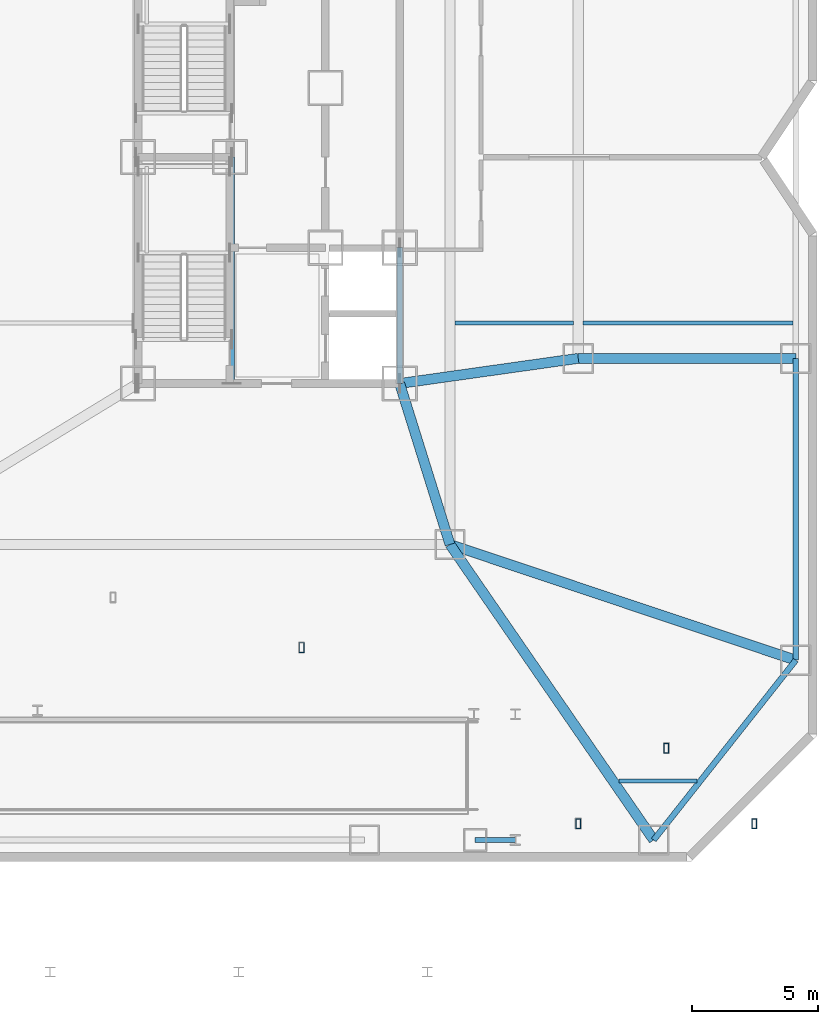
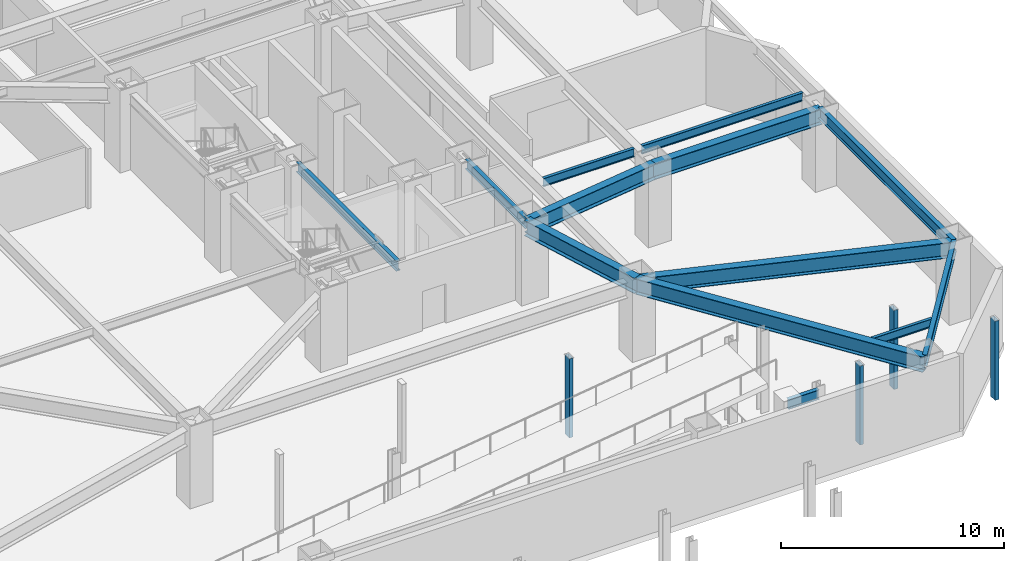
# One storey, part 4 of 14: 13 beams, 4 members.
"""IFC4 building model written with IfcOpenShell, lengths in metres."""

from ifc_helpers import new_model, si_unit, direction, frame, origin, origin_2d, place, context, subcontext, project, spatial, hollow_rectangle, i_section, extrude, material, material_profile, profile_set, type_object, element, save


model = new_model("IFC4")

# Units and contexts
model_context = context("Model", 3, precision=1e-05, world=origin(), true_north=direction((0.0, 1.0)))
body_context = subcontext(model_context, "Body", "Model", "MODEL_VIEW")
ifc_project = project(units=[si_unit("LENGTHUNIT", "METRE"), si_unit("AREAUNIT", "SQUARE_METRE"), si_unit("VOLUMEUNIT", "CUBIC_METRE"), si_unit("PLANEANGLEUNIT", "RADIAN"), si_unit("MASSUNIT", "GRAM", prefix="KILO")], contexts=[model_context])

# Site, building, storey
site_placement = place(None, origin())
site = spatial("IfcSite", under=ifc_project, at=site_placement, CompositionType="ELEMENT")
building_placement = place(site_placement, origin())
building = spatial("IfcBuilding", under=site, at=building_placement, Name="Khamvora Tower", CompositionType="ELEMENT")
storey_placement = place(building_placement, frame((0.0, 0.0, -4.5)))
storey = spatial("IfcBuildingStorey", under=building, at=storey_placement, Name="B1", CompositionType="ELEMENT", Elevation=-4.5)

# Beams
ifc_material = material(Name="Steel S355", Category="steel")
ifc_material_profile_1 = material_profile(ifc_material, i_section(OverallWidth=0.154052734375, OverallDepth=0.458984375, WebThickness=0.009033203125, FlangeThickness=0.014892578125, FilletRadius=0.011962890625, at=origin_2d()), Name="W460x68")
ifc_profile_set_1 = profile_set([ifc_material_profile_1], Name="Steel S355")
beam_type_1 = type_object("IfcBeamType", Name="BM-JS-W460x68", PredefinedType="JOIST", material=ifc_profile_set_1)
beam_1_placement = place(storey_placement, frame((48.117919921875, 3.199951171875, 3.909912109375), z_axis=(1.0, 0.0, 0.0), x_axis=(0.0, 1.0, 0.0)))
element("IfcBeam", 1, at=beam_1_placement, inside=storey, type_object=beam_type_1, Name="B1 secondary floor joist 01", PredefinedType="JOIST", context=body_context, shape_type="SweptSolid", body=[
    extrude(i_section(OverallWidth=0.154052734375, OverallDepth=0.458984375, WebThickness=0.009033203125, FlangeThickness=0.014892578125, FilletRadius=0.011962890625, at=origin_2d()), origin(), (0.0, 0.0, 1.0), 3.09716796875),
])
beam_2_placement = place(storey_placement, frame((41.594970703125, 21.39990234375, 3.909912109375), z_axis=(1.0, 0.0, 0.0), x_axis=(0.0, 1.0, 0.0)))
element("IfcBeam", 2, at=beam_2_placement, inside=storey, type_object=beam_type_1, Name="B1 secondary floor joist 04", PredefinedType="JOIST", context=body_context, shape_type="SweptSolid", body=[
    extrude(i_section(OverallWidth=0.154052734375, OverallDepth=0.458984375, WebThickness=0.009033203125, FlangeThickness=0.014892578125, FilletRadius=0.011962890625, at=origin_2d()), origin(), (0.0, 0.0, 1.0), 4.7099609375),
])
beam_3_placement = place(storey_placement, frame((46.695068359375, 21.39990234375, 3.909912109375), z_axis=(1.0, 0.0, 0.0), x_axis=(0.0, 1.0, 0.0)))
element("IfcBeam", 3, at=beam_3_placement, inside=storey, type_object=beam_type_1, Name="B1 secondary floor joist 05", PredefinedType="JOIST", context=body_context, shape_type="SweptSolid", body=[
    extrude(i_section(OverallWidth=0.154052734375, OverallDepth=0.458984375, WebThickness=0.009033203125, FlangeThickness=0.014892578125, FilletRadius=0.011962890625, at=origin_2d()), origin(), (0.0, 0.0, 1.0), 8.344970703125),
])
ifc_material_profile_2 = material_profile(ifc_material, i_section(OverallWidth=0.39990234375, OverallDepth=0.85498046875, WebThickness=0.01806640625, FlangeThickness=0.029052734375, FilletRadius=0.01806640625, at=origin_2d()), Name="W840x299")
ifc_profile_set_2 = profile_set([ifc_material_profile_2], Name="Steel S355")
beam_type_2 = type_object("IfcBeamType", Name="BM-PG-W840x299", PredefinedType="BEAM", material=ifc_profile_set_2)
beam_4_placement = place(storey_placement, frame((41.39990234375, 12.60009765625, 3.712890625), z_axis=(0.567573841069, -0.823322497527, 0.0), x_axis=(0.823322497527, 0.567573841069, 0.0)))
element("IfcBeam", 4, at=beam_4_placement, inside=storey, type_object=beam_type_2, Name="B1 primary floor girder P04", PredefinedType="BEAM", context=body_context, shape_type="SweptSolid", body=[
    extrude(i_section(OverallWidth=0.39990234375, OverallDepth=0.85498046875, WebThickness=0.01806640625, FlangeThickness=0.029052734375, FilletRadius=0.01806640625, at=origin_2d()), origin(), (0.0, 0.0, 1.0), 14.271484375),
])
beam_5_placement = place(storey_placement, frame((41.39990234375, 12.60009765625, 3.712890625), z_axis=(0.948335857324, -0.31726818579, 0.0), x_axis=(0.31726818579, 0.948335857324, 0.0)))
element("IfcBeam", 5, at=beam_5_placement, inside=storey, type_object=beam_type_2, Name="B1 primary floor girder P13", PredefinedType="BEAM", context=body_context, shape_type="SweptSolid", body=[
    extrude(i_section(OverallWidth=0.39990234375, OverallDepth=0.85498046875, WebThickness=0.01806640625, FlangeThickness=0.029052734375, FilletRadius=0.01806640625, at=origin_2d()), origin(), (0.0, 0.0, 1.0), 14.4990234375),
])
beam_6_placement = place(storey_placement, frame((46.5, 20.0, 3.712890625), z_axis=(1.0, 0.0, 0.0), x_axis=(0.0, 1.0, 0.0)))
element("IfcBeam", 6, at=beam_6_placement, inside=storey, type_object=beam_type_2, Name="B1 primary floor girder P14", PredefinedType="BEAM", context=body_context, shape_type="SweptSolid", body=[
    extrude(i_section(OverallWidth=0.39990234375, OverallDepth=0.85498046875, WebThickness=0.01806640625, FlangeThickness=0.029052734375, FilletRadius=0.01806640625, at=origin_2d()), origin(), (0.0, 0.0, 1.0), 8.64990234375),
])
beam_7_placement = place(storey_placement, frame((39.39990234375, 19.0, 3.712890625), z_axis=(0.298279139585, -0.95447868226, 0.0), x_axis=(0.95447868226, 0.298279139585, 0.0)))
element("IfcBeam", 7, at=beam_7_placement, inside=storey, type_object=beam_type_2, Name="B1 primary floor girder P18", PredefinedType="BEAM", context=body_context, shape_type="SweptSolid", body=[
    extrude(i_section(OverallWidth=0.39990234375, OverallDepth=0.85498046875, WebThickness=0.01806640625, FlangeThickness=0.029052734375, FilletRadius=0.01806640625, at=origin_2d()), origin(), (0.0, 0.0, 1.0), 6.705078125),
])
beam_8_placement = place(storey_placement, frame((39.39990234375, 19.0, 3.712890625), z_axis=(0.990226770029, 0.139466640879, 0.0), x_axis=(-0.139466640879, 0.990226770029, 0.0)))
element("IfcBeam", 8, at=beam_8_placement, inside=storey, type_object=beam_type_2, Name="B1 primary floor girder P23", PredefinedType="BEAM", context=body_context, shape_type="SweptSolid", body=[
    extrude(i_section(OverallWidth=0.39990234375, OverallDepth=0.85498046875, WebThickness=0.01806640625, FlangeThickness=0.029052734375, FilletRadius=0.01806640625, at=origin_2d()), origin(), (0.0, 0.0, 1.0), 7.170166015625),
])
ifc_material_profile_3 = material_profile(ifc_material, i_section(OverallWidth=0.208984375, OverallDepth=0.532958984375, WebThickness=0.010009765625, FlangeThickness=0.01611328125, FilletRadius=0.013916015625, at=origin_2d()), Name="W530x92")
ifc_profile_set_3 = profile_set([ifc_material_profile_3], Name="Steel S355")
beam_type_3 = type_object("IfcBeamType", Name="BM-SP-W530x92", PredefinedType="SPANDREL", material=ifc_profile_set_3)
beam_9_placement = place(storey_placement, frame((42.39990234375, 0.85009765625, 3.9541015625), z_axis=(1.0, 0.0, 0.0), x_axis=(0.0, 1.0, 0.0)))
element("IfcBeam", 9, at=beam_9_placement, inside=storey, type_object=beam_type_3, Name="B1 vehicle ramp south apron beam", PredefinedType="SPANDREL", context=body_context, shape_type="SweptSolid", body=[
    extrude(i_section(OverallWidth=0.208984375, OverallDepth=0.532958984375, WebThickness=0.010009765625, FlangeThickness=0.01611328125, FilletRadius=0.013916015625, at=origin_2d()), origin(), (0.0, 0.0, 1.0), 1.60009765625),
])
beam_10_placement = place(storey_placement, frame((32.72998046875, 19.0, 3.873046875), z_axis=(0.0, 1.0, 0.0), x_axis=(-1.0, 0.0, 0.0)))
element("IfcBeam", 10, at=beam_10_placement, inside=storey, type_object=beam_type_3, Name="B1 core spine girder M1S", PredefinedType="SPANDREL", context=body_context, shape_type="SweptSolid", body=[
    extrude(i_section(OverallWidth=0.208984375, OverallDepth=0.532958984375, WebThickness=0.010009765625, FlangeThickness=0.01611328125, FilletRadius=0.013916015625, at=origin_2d()), origin(), (0.0, 0.0, 1.0), 9.0),
])
beam_11_placement = place(storey_placement, frame((39.39990234375, 19.0, 3.873046875), z_axis=(0.0, 1.0, 0.0), x_axis=(-1.0, 0.0, 0.0)))
element("IfcBeam", 11, at=beam_11_placement, inside=storey, type_object=beam_type_3, Name="B1 core spine girder ES", PredefinedType="SPANDREL", context=body_context, shape_type="SweptSolid", body=[
    extrude(i_section(OverallWidth=0.208984375, OverallDepth=0.532958984375, WebThickness=0.010009765625, FlangeThickness=0.01611328125, FilletRadius=0.013916015625, at=origin_2d()), origin(), (0.0, 0.0, 1.0), 5.39990234375),
])
ifc_material_profile_4 = material_profile(ifc_material, i_section(OverallWidth=0.22998046875, OverallDepth=0.616943359375, WebThickness=0.012939453125, FlangeThickness=0.02197265625, FilletRadius=0.013916015625, at=origin_2d()), Name="W610x140")
ifc_profile_set_4 = profile_set([ifc_material_profile_4], Name="Steel S355")
beam_type_4 = type_object("IfcBeamType", Name="BM-SP-W610x140", PredefinedType="SPANDREL", material=ifc_profile_set_4)
beam_12_placement = place(storey_placement, frame((49.5, 0.85009765625, 3.83203125), z_axis=(0.619998635429, 0.784602888133, 0.0), x_axis=(-0.784602888133, 0.619998635429, 0.0)))
element("IfcBeam", 12, at=beam_12_placement, inside=storey, type_object=beam_type_4, Name="B1 perimeter spandrel beam P04-P13", PredefinedType="SPANDREL", context=body_context, shape_type="SweptSolid", body=[
    extrude(i_section(OverallWidth=0.22998046875, OverallDepth=0.616943359375, WebThickness=0.012939453125, FlangeThickness=0.02197265625, FilletRadius=0.013916015625, at=origin_2d()), origin(), (0.0, 0.0, 1.0), 9.11279296875),
])
beam_13_placement = place(storey_placement, frame((55.14990234375, 8.0, 3.83203125), z_axis=(0.0, 1.0, 0.0), x_axis=(-1.0, 0.0, 0.0)))
element("IfcBeam", 13, at=beam_13_placement, inside=storey, type_object=beam_type_4, Name="B1 perimeter spandrel beam P13-P14", PredefinedType="SPANDREL", context=body_context, shape_type="SweptSolid", body=[
    extrude(i_section(OverallWidth=0.22998046875, OverallDepth=0.616943359375, WebThickness=0.012939453125, FlangeThickness=0.02197265625, FilletRadius=0.013916015625, at=origin_2d()), origin(), (0.0, 0.0, 1.0), 12.0),
])

# Members
ifc_material_profile_5 = material_profile(ifc_material, hollow_rectangle(XDim=0.199951171875, YDim=0.39990234375, WallThickness=0.01611328125, at=origin_2d()), Name="RHS400x200x16")
ifc_profile_set_5 = profile_set([ifc_material_profile_5], Name="Steel S355")
member_type = type_object("IfcMemberType", Name="MEM-PS-RHS400", PredefinedType="POST", material=ifc_profile_set_5)
for number, where, z_axis, x_axis, name in (
    (14, (35.5, 8.5, 0.0), (0.0, 0.0, 1.0), (1.0, 0.0, 0.0), "B1 plaza apron structural post ENT2"),
    (15, (46.5, 1.5, 0.0), (0.0, 0.0, 1.0), (1.0, 0.0, 0.0), "B1 plaza apron structural post SE1"),
    (16, (53.5, 1.5, 0.0), (0.0, 0.0, 1.0), (1.0, 0.0, 0.0), "B1 plaza apron structural post SE2"),
    (17, (50.0, 4.5, 0.0), (0.0, 0.0, 1.0), (1.0, 0.0, 0.0), "B1 plaza apron structural post SE3"),
):
    element("IfcMember", number, at=place(storey_placement, frame(where, z_axis=z_axis, x_axis=x_axis)), inside=storey, type_object=member_type, Name=name, PredefinedType="POST", context=body_context, shape_type="SweptSolid", body=[
        extrude(hollow_rectangle(XDim=0.199951171875, YDim=0.39990234375, WallThickness=0.01611328125, at=origin_2d()), origin(), (0.0, 0.0, 1.0), 4.324951171875),
    ])

save(model, "model.ifc")
